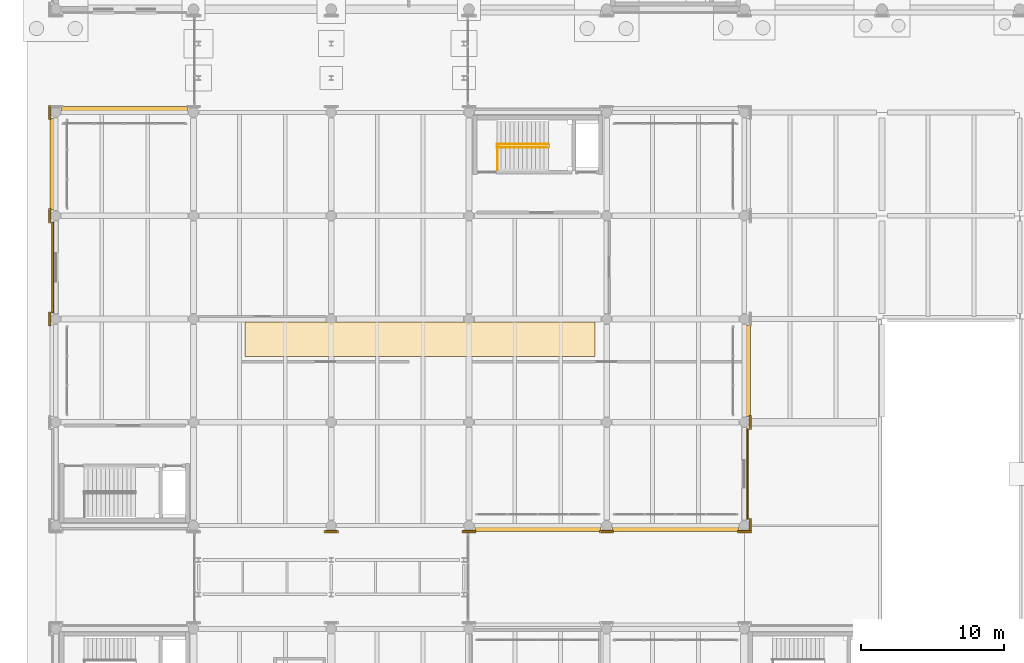
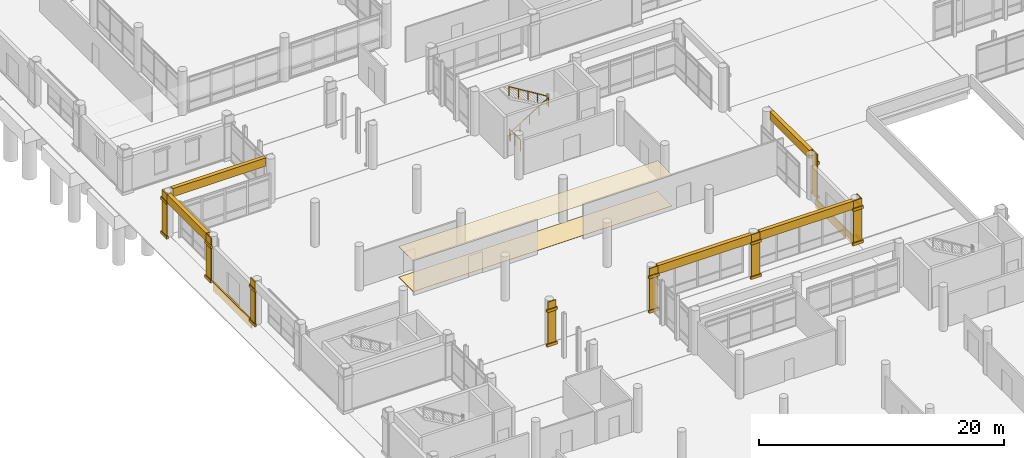
# One storey, part 174 of 196: 36 coverings, 3 railings.
"""IFC4 building model written with IfcOpenShell, lengths in metres."""

from ifc_helpers import new_model, si_unit, direction, frame, origin, origin_2d, place, context, subcontext, project, spatial, polyline, rectangle, circle, outline, extrude, material, layer, layer_set, type_object, element, save


model = new_model("IFC4")

# Units and contexts
model_context = context("Model", 3, precision=1e-05, world=origin(), true_north=direction((0.0, 1.0)))
body_context = subcontext(model_context, "Body", "Model", "MODEL_VIEW")
ifc_project = project(units=[si_unit("LENGTHUNIT", "METRE"), si_unit("AREAUNIT", "SQUARE_METRE"), si_unit("VOLUMEUNIT", "CUBIC_METRE"), si_unit("PLANEANGLEUNIT", "RADIAN"), si_unit("MASSUNIT", "GRAM", prefix="KILO")], contexts=[model_context])

# Site, building, storey
site_placement = place(None, origin())
site = spatial("IfcSite", under=ifc_project, at=site_placement, CompositionType="ELEMENT")
building_placement = place(site_placement, origin())
building = spatial("IfcBuilding", under=site, at=building_placement, Name="Asteropetra Specialist Clinic", CompositionType="ELEMENT")
storey_placement = place(building_placement, origin())
storey = spatial("IfcBuildingStorey", under=building, at=storey_placement, Name="L00", CompositionType="ELEMENT", Elevation=0.0)

# Coverings
ifc_material_1 = material(Name="Hygienic acoustic ceiling tile")
ifc_layer_1 = layer(ifc_material_1, 0.02490234375)
ifc_layer_set_1 = layer_set([ifc_layer_1], Name="Hygienic acoustic ceiling tile")
covering_type_1 = type_object("IfcCoveringType", Name="CLG-ACOUSTIC", PredefinedType="CEILING", material=ifc_layer_set_1)
covering_1_placement = place(storey_placement, frame((0.0, 0.0, 3.050048828125)))
element("IfcCovering", 1, at=covering_1_placement, inside=storey, type_object=covering_type_1, Name="Acoustic Ceiling CLG-L00-V5", PredefinedType="CEILING", context=body_context, shape_type="SweptSolid", body=[
    extrude(outline(polyline([(13.199951171875, 45.39990234375), (37.60009765625, 45.39990234375), (37.60009765625, 47.800048828125), (13.199951171875, 47.800048828125), (13.199951171875, 45.39990234375)])), origin(), (0.0, 0.0, 1.0), 0.02490234375),
])
ifc_material_2 = material(Name="Pentelic marble ashlar", Category="masonry")
ifc_layer_2 = layer(ifc_material_2, 0.159912109375)
ifc_layer_set_2 = layer_set([ifc_layer_2], Name="Pentelic marble ashlar")
covering_type_2 = type_object("IfcCoveringType", Name="CRN-ENTAB-600", PredefinedType="MOLDING", material=ifc_layer_set_2)
for number, where, z_axis, x_axis, name in (
    (2, (4.800048828125, 62.639892578125, 3.58984375), (0.0, 0.0, 1.0), (1.0, 0.0, 0.0), "Stoa Classical Entablature SE-0027"),
    (3, (33.60009765625, 33.360107421875, 3.58984375), (0.0, 0.0, 1.0), (1.0, 0.0, 0.0), "Stoa Classical Entablature SE-0028"),
    (4, (43.199951171875, 33.360107421875, 3.58984375), (0.0, 0.0, 1.0), (1.0, 0.0, 0.0), "Stoa Classical Entablature SE-0029"),
):
    element("IfcCovering", number, at=place(storey_placement, frame(where, z_axis=z_axis, x_axis=x_axis)), inside=storey, type_object=covering_type_2, Name=name, PredefinedType="MOLDING", context=body_context, shape_type="SweptSolid", body=[
        extrude(rectangle(XDim=8.780029296875, YDim=0.360107421875, at=origin_2d()), origin(), (0.0, 0.0, 1.0), 0.820068359375),
    ])
for number, where, z_axis, x_axis, name in (
    (5, (48.239990234375, 44.39990234375, 3.58984375), (0.0, 0.0, 1.0), (1.0, 0.0, 0.0), "Stoa Classical Entablature SE-0032"),
    (6, (-0.239990234375, 58.800048828125, 3.58984375), (0.0, 0.0, 1.0), (1.0, 0.0, 0.0), "Stoa Classical Entablature SE-0033"),
):
    element("IfcCovering", number, at=place(storey_placement, frame(where, z_axis=z_axis, x_axis=x_axis)), inside=storey, type_object=covering_type_2, Name=name, PredefinedType="MOLDING", context=body_context, shape_type="SweptSolid", body=[
        extrude(rectangle(XDim=0.360107421875, YDim=6.3798828125, at=origin_2d()), origin(), (0.0, 0.0, 1.0), 0.820068359375),
    ])
covering_2_placement = place(storey_placement, frame((-0.382080078125, 48.0, 0.02001953125), z_axis=(0.0, 0.0, 1.0), x_axis=(1.0, 0.0, 0.0)))
element("IfcCovering", 7, at=covering_2_placement, inside=storey, type_object=covering_type_2, Name="Neoclassical Pilaster Facing CM-0754", PredefinedType="MOLDING", context=body_context, shape_type="SweptSolid", body=[
    extrude(rectangle(XDim=0.080078125, YDim=0.780029296875, at=origin_2d()), origin(), (0.0, 0.0, 1.0), 4.3798828125),
])
for number, where, z_axis, x_axis, name in (
    (8, (-0.422119140625, 48.0, 0.009765625), (0.0, 0.0, 1.0), (1.0, 0.0, 0.0), "Doric Base CC-0755"),
    (9, (-0.422119140625, 48.0, 3.43017578125), (0.0, 0.0, 1.0), (1.0, 0.0, 0.0), "Doric Capital CC-0756"),
):
    element("IfcCovering", number, at=place(storey_placement, frame(where, z_axis=z_axis, x_axis=x_axis)), inside=storey, type_object=covering_type_2, Name=name, PredefinedType="MOLDING", context=body_context, shape_type="SweptSolid", body=[
        extrude(rectangle(XDim=0.159912109375, YDim=0.97998046875, at=origin_2d()), origin(), (0.0, 0.0, 1.0), 0.260009765625),
    ])
covering_3_placement = place(storey_placement, frame((-0.382080078125, 55.199951171875, 0.02001953125), z_axis=(0.0, 0.0, 1.0), x_axis=(1.0, 0.0, 0.0)))
element("IfcCovering", 10, at=covering_3_placement, inside=storey, type_object=covering_type_2, Name="Neoclassical Pilaster Facing CM-0757", PredefinedType="MOLDING", context=body_context, shape_type="SweptSolid", body=[
    extrude(rectangle(XDim=0.080078125, YDim=0.780029296875, at=origin_2d()), origin(), (0.0, 0.0, 1.0), 4.3798828125),
])
for number, where, z_axis, x_axis, name in (
    (11, (-0.422119140625, 55.199951171875, 0.009765625), (0.0, 0.0, 1.0), (1.0, 0.0, 0.0), "Doric Base CC-0758"),
    (12, (-0.422119140625, 55.199951171875, 3.43017578125), (0.0, 0.0, 1.0), (1.0, 0.0, 0.0), "Doric Capital CC-0759"),
):
    element("IfcCovering", number, at=place(storey_placement, frame(where, z_axis=z_axis, x_axis=x_axis)), inside=storey, type_object=covering_type_2, Name=name, PredefinedType="MOLDING", context=body_context, shape_type="SweptSolid", body=[
        extrude(rectangle(XDim=0.159912109375, YDim=0.97998046875, at=origin_2d()), origin(), (0.0, 0.0, 1.0), 0.260009765625),
    ])
covering_4_placement = place(storey_placement, frame((-0.382080078125, 62.39990234375, 0.02001953125), z_axis=(0.0, 0.0, 1.0), x_axis=(1.0, 0.0, 0.0)))
element("IfcCovering", 13, at=covering_4_placement, inside=storey, type_object=covering_type_2, Name="Neoclassical Pilaster Facing CM-0763", PredefinedType="MOLDING", context=body_context, shape_type="SweptSolid", body=[
    extrude(rectangle(XDim=0.080078125, YDim=0.780029296875, at=origin_2d()), origin(), (0.0, 0.0, 1.0), 4.3798828125),
])
for number, where, z_axis, x_axis, name in (
    (14, (-0.422119140625, 62.39990234375, 0.009765625), (0.0, 0.0, 1.0), (1.0, 0.0, 0.0), "Doric Base CC-0764"),
    (15, (-0.422119140625, 62.39990234375, 3.43017578125), (0.0, 0.0, 1.0), (1.0, 0.0, 0.0), "Doric Capital CC-0765"),
):
    element("IfcCovering", number, at=place(storey_placement, frame(where, z_axis=z_axis, x_axis=x_axis)), inside=storey, type_object=covering_type_2, Name=name, PredefinedType="MOLDING", context=body_context, shape_type="SweptSolid", body=[
        extrude(rectangle(XDim=0.159912109375, YDim=0.97998046875, at=origin_2d()), origin(), (0.0, 0.0, 1.0), 0.260009765625),
    ])
covering_5_placement = place(storey_placement, frame((19.199951171875, 33.218017578125, 0.02001953125), z_axis=(0.0, 0.0, 1.0), x_axis=(1.0, 0.0, 0.0)))
element("IfcCovering", 16, at=covering_5_placement, inside=storey, type_object=covering_type_2, Name="Neoclassical Pilaster Facing CM-0772", PredefinedType="MOLDING", context=body_context, shape_type="SweptSolid", body=[
    extrude(rectangle(XDim=0.780029296875, YDim=0.080078125, at=origin_2d()), origin(), (0.0, 0.0, 1.0), 4.3798828125),
])
for number, where, z_axis, x_axis, name in (
    (17, (19.199951171875, 33.177978515625, 0.009765625), (0.0, 0.0, 1.0), (1.0, 0.0, 0.0), "Doric Base CC-0773"),
    (18, (19.199951171875, 33.177978515625, 3.43017578125), (0.0, 0.0, 1.0), (1.0, 0.0, 0.0), "Doric Capital CC-0774"),
):
    element("IfcCovering", number, at=place(storey_placement, frame(where, z_axis=z_axis, x_axis=x_axis)), inside=storey, type_object=covering_type_2, Name=name, PredefinedType="MOLDING", context=body_context, shape_type="SweptSolid", body=[
        extrude(rectangle(XDim=0.97998046875, YDim=0.159912109375, at=origin_2d()), origin(), (0.0, 0.0, 1.0), 0.260009765625),
    ])
covering_6_placement = place(storey_placement, frame((28.800048828125, 33.218017578125, 0.02001953125), z_axis=(0.0, 0.0, 1.0), x_axis=(1.0, 0.0, 0.0)))
element("IfcCovering", 19, at=covering_6_placement, inside=storey, type_object=covering_type_2, Name="Neoclassical Pilaster Facing CM-0778", PredefinedType="MOLDING", context=body_context, shape_type="SweptSolid", body=[
    extrude(rectangle(XDim=0.780029296875, YDim=0.080078125, at=origin_2d()), origin(), (0.0, 0.0, 1.0), 4.3798828125),
])
for number, where, z_axis, x_axis, name in (
    (20, (28.800048828125, 33.177978515625, 0.009765625), (0.0, 0.0, 1.0), (1.0, 0.0, 0.0), "Doric Base CC-0779"),
    (21, (28.800048828125, 33.177978515625, 3.43017578125), (0.0, 0.0, 1.0), (1.0, 0.0, 0.0), "Doric Capital CC-0780"),
):
    element("IfcCovering", number, at=place(storey_placement, frame(where, z_axis=z_axis, x_axis=x_axis)), inside=storey, type_object=covering_type_2, Name=name, PredefinedType="MOLDING", context=body_context, shape_type="SweptSolid", body=[
        extrude(rectangle(XDim=0.97998046875, YDim=0.159912109375, at=origin_2d()), origin(), (0.0, 0.0, 1.0), 0.260009765625),
    ])
covering_7_placement = place(storey_placement, frame((38.39990234375, 33.218017578125, 0.02001953125), z_axis=(0.0, 0.0, 1.0), x_axis=(1.0, 0.0, 0.0)))
element("IfcCovering", 22, at=covering_7_placement, inside=storey, type_object=covering_type_2, Name="Neoclassical Pilaster Facing CM-0784", PredefinedType="MOLDING", context=body_context, shape_type="SweptSolid", body=[
    extrude(rectangle(XDim=0.780029296875, YDim=0.080078125, at=origin_2d()), origin(), (0.0, 0.0, 1.0), 4.3798828125),
])
for number, where, z_axis, x_axis, name in (
    (23, (38.39990234375, 33.177978515625, 0.009765625), (0.0, 0.0, 1.0), (1.0, 0.0, 0.0), "Doric Base CC-0785"),
    (24, (38.39990234375, 33.177978515625, 3.43017578125), (0.0, 0.0, 1.0), (1.0, 0.0, 0.0), "Doric Capital CC-0786"),
):
    element("IfcCovering", number, at=place(storey_placement, frame(where, z_axis=z_axis, x_axis=x_axis)), inside=storey, type_object=covering_type_2, Name=name, PredefinedType="MOLDING", context=body_context, shape_type="SweptSolid", body=[
        extrude(rectangle(XDim=0.97998046875, YDim=0.159912109375, at=origin_2d()), origin(), (0.0, 0.0, 1.0), 0.260009765625),
    ])
covering_8_placement = place(storey_placement, frame((48.0, 33.218017578125, 0.02001953125), z_axis=(0.0, 0.0, 1.0), x_axis=(1.0, 0.0, 0.0)))
element("IfcCovering", 25, at=covering_8_placement, inside=storey, type_object=covering_type_2, Name="Neoclassical Pilaster Facing CM-0790", PredefinedType="MOLDING", context=body_context, shape_type="SweptSolid", body=[
    extrude(rectangle(XDim=0.780029296875, YDim=0.080078125, at=origin_2d()), origin(), (0.0, 0.0, 1.0), 4.3798828125),
])
for number, where, z_axis, x_axis, name in (
    (26, (48.0, 33.177978515625, 0.009765625), (0.0, 0.0, 1.0), (1.0, 0.0, 0.0), "Doric Base CC-0791"),
    (27, (48.0, 33.177978515625, 3.43017578125), (0.0, 0.0, 1.0), (1.0, 0.0, 0.0), "Doric Capital CC-0792"),
):
    element("IfcCovering", number, at=place(storey_placement, frame(where, z_axis=z_axis, x_axis=x_axis)), inside=storey, type_object=covering_type_2, Name=name, PredefinedType="MOLDING", context=body_context, shape_type="SweptSolid", body=[
        extrude(rectangle(XDim=0.97998046875, YDim=0.159912109375, at=origin_2d()), origin(), (0.0, 0.0, 1.0), 0.260009765625),
    ])
covering_9_placement = place(storey_placement, frame((48.382080078125, 33.60009765625, 0.02001953125), z_axis=(0.0, 0.0, 1.0), x_axis=(1.0, 0.0, 0.0)))
element("IfcCovering", 28, at=covering_9_placement, inside=storey, type_object=covering_type_2, Name="Neoclassical Pilaster Facing CM-0793", PredefinedType="MOLDING", context=body_context, shape_type="SweptSolid", body=[
    extrude(rectangle(XDim=0.080078125, YDim=0.780029296875, at=origin_2d()), origin(), (0.0, 0.0, 1.0), 4.3798828125),
])
for number, where, z_axis, x_axis, name in (
    (29, (48.422119140625, 33.60009765625, 0.009765625), (0.0, 0.0, 1.0), (1.0, 0.0, 0.0), "Doric Base CC-0794"),
    (30, (48.422119140625, 33.60009765625, 3.43017578125), (0.0, 0.0, 1.0), (1.0, 0.0, 0.0), "Doric Capital CC-0795"),
):
    element("IfcCovering", number, at=place(storey_placement, frame(where, z_axis=z_axis, x_axis=x_axis)), inside=storey, type_object=covering_type_2, Name=name, PredefinedType="MOLDING", context=body_context, shape_type="SweptSolid", body=[
        extrude(rectangle(XDim=0.159912109375, YDim=0.97998046875, at=origin_2d()), origin(), (0.0, 0.0, 1.0), 0.260009765625),
    ])
covering_10_placement = place(storey_placement, frame((48.382080078125, 40.800048828125, 0.02001953125), z_axis=(0.0, 0.0, 1.0), x_axis=(1.0, 0.0, 0.0)))
element("IfcCovering", 31, at=covering_10_placement, inside=storey, type_object=covering_type_2, Name="Neoclassical Pilaster Facing CM-0796", PredefinedType="MOLDING", context=body_context, shape_type="SweptSolid", body=[
    extrude(rectangle(XDim=0.080078125, YDim=0.780029296875, at=origin_2d()), origin(), (0.0, 0.0, 1.0), 4.3798828125),
])
for number, where, z_axis, x_axis, name in (
    (32, (48.422119140625, 40.800048828125, 0.009765625), (0.0, 0.0, 1.0), (1.0, 0.0, 0.0), "Doric Base CC-0797"),
    (33, (48.422119140625, 40.800048828125, 3.43017578125), (0.0, 0.0, 1.0), (1.0, 0.0, 0.0), "Doric Capital CC-0798"),
):
    element("IfcCovering", number, at=place(storey_placement, frame(where, z_axis=z_axis, x_axis=x_axis)), inside=storey, type_object=covering_type_2, Name=name, PredefinedType="MOLDING", context=body_context, shape_type="SweptSolid", body=[
        extrude(rectangle(XDim=0.159912109375, YDim=0.97998046875, at=origin_2d()), origin(), (0.0, 0.0, 1.0), 0.260009765625),
    ])
for number, where, z_axis, x_axis, name in (
    (34, (48.219970703125, 37.199951171875, -0.800048828125), (0.0, 0.0, 1.0), (1.0, 0.0, 0.0), "Chevron Spandrel Band CV-1844"),
    (35, (-0.219970703125, 51.60009765625, -0.800048828125), (0.0, 0.0, 1.0), (1.0, 0.0, 0.0), "Chevron Spandrel Band CV-1845"),
):
    element("IfcCovering", number, at=place(storey_placement, frame(where, z_axis=z_axis, x_axis=x_axis)), inside=storey, type_object=covering_type_2, Name=name, PredefinedType="MOLDING", context=body_context, shape_type="SweptSolid", body=[
        extrude(rectangle(XDim=0.1201171875, YDim=6.300048828125, at=origin_2d()), origin(), (0.0, 0.0, 1.0), 0.8798828125),
    ])
ifc_material_3 = material(Name="Attic marble terrazzo flooring", Category="masonry")
ifc_layer_3 = layer(ifc_material_3, 0.02001953125)
ifc_layer_set_3 = layer_set([ifc_layer_3], Name="Attic marble terrazzo flooring")
covering_type_3 = type_object("IfcCoveringType", Name="FLR-TERRAZZO", PredefinedType="FLOORING", material=ifc_layer_set_3)
covering_11_placement = place(storey_placement, origin())
element("IfcCovering", 36, at=covering_11_placement, inside=storey, type_object=covering_type_3, Name="Terrazzo Flooring CLG-L00-V5", PredefinedType="FLOORING", context=body_context, shape_type="SweptSolid", body=[
    extrude(outline(polyline([(13.199951171875, 45.39990234375), (37.60009765625, 45.39990234375), (37.60009765625, 47.800048828125), (13.199951171875, 47.800048828125), (13.199951171875, 45.39990234375)])), origin(), (0.0, 0.0, 1.0), 0.02001953125),
])

# Railings
ifc_material_4 = material(Name="Steel S355 and laminated glass guard", Category="steel")
railing_type_1 = type_object("IfcRailingType", Name="GRD-INT-1120", PredefinedType="GUARDRAIL", material=ifc_material_4)
railing_1_placement = place(storey_placement, frame((30.800048828125, 58.3798828125, 0.0)))
element("IfcRailing", 37, at=railing_1_placement, inside=storey, type_object=railing_type_1, Name="Stair Well Guard ST05-B1", PredefinedType="GUARDRAIL", context=body_context, shape_type="SweptSolid", body=[
    extrude(circle(Radius=0.02392578125, at=origin_2d()), frame((0.0, 0.0, 1.09619140625), z_axis=(0.0, 1.0, 0.0), x_axis=(-1.0, 0.0, 0.0)), (0.0, 0.0, 1.0), 1.780029296875),
    extrude(circle(Radius=0.02099609375, at=origin_2d()), origin(), (0.0, 0.0, 1.0), 1.072021484375),
    extrude(circle(Radius=0.02099609375, at=origin_2d()), frame((0.0, 0.89013671875, 0.0)), (0.0, 0.0, 1.0), 1.072021484375),
    extrude(circle(Radius=0.02099609375, at=origin_2d()), frame((0.0, 1.780029296875, 0.0)), (0.0, 0.0, 1.0), 1.072021484375),
])
ifc_material_5 = material(Name="Brushed stainless steel handrail", Category="steel")
railing_type_2 = type_object("IfcRailingType", Name="HRL-STAIR-920", PredefinedType="HANDRAIL", material=ifc_material_5)
railing_2_placement = place(storey_placement, frame((30.75, 59.969970703125, 0.0)))
element("IfcRailing", 38, at=railing_2_placement, inside=storey, type_object=railing_type_2, Name="Stair Handrail ST05-L00 F1", PredefinedType="HANDRAIL", context=body_context, shape_type="SweptSolid", body=[
    extrude(circle(Radius=0.02392578125, at=origin_2d()), frame((0.0, 0.0, 0.89599609375), z_axis=(0.85223722916, 0.0, 0.523155526811), x_axis=(0.0, 1.0, 0.0)), (0.0, 0.0, 1.0), 4.224365234375),
    extrude(circle(Radius=0.02099609375, at=origin_2d()), origin(), (0.0, 0.0, 1.0), 0.871826171875),
    extrude(circle(Radius=0.02099609375, at=origin_2d()), frame((0.89990234375, 0.0, 0.552490234375)), (0.0, 0.0, 1.0), 0.871826171875),
    extrude(circle(Radius=0.02099609375, at=origin_2d()), frame((1.800048828125, 0.0, 1.10498046875)), (0.0, 0.0, 1.0), 0.871826171875),
    extrude(circle(Radius=0.02099609375, at=origin_2d()), frame((2.7001953125, 0.0, 1.657470703125)), (0.0, 0.0, 1.0), 0.871826171875),
    extrude(circle(Radius=0.02099609375, at=origin_2d()), frame((3.60009765625, 0.0, 2.2099609375)), (0.0, 0.0, 1.0), 0.871826171875),
])
railing_3_placement = place(storey_placement, frame((34.35009765625, 60.2099609375, 2.2099609375)))
element("IfcRailing", 39, at=railing_3_placement, inside=storey, type_object=railing_type_2, Name="Stair Handrail ST05-L00 F2", PredefinedType="HANDRAIL", context=body_context, shape_type="SweptSolid", body=[
    extrude(circle(Radius=0.02392578125, at=origin_2d()), frame((0.0, 0.0, 0.89599609375), z_axis=(-0.85223722916, 0.0, 0.523155526811), x_axis=(0.0, -1.0, 0.0)), (0.0, 0.0, 1.0), 4.224365234375),
    extrude(circle(Radius=0.02099609375, at=origin_2d()), origin(), (0.0, 0.0, 1.0), 0.871826171875),
    extrude(circle(Radius=0.02099609375, at=origin_2d()), frame((-0.89990234375, 0.0, 0.552490234375)), (0.0, 0.0, 1.0), 0.871826171875),
    extrude(circle(Radius=0.02099609375, at=origin_2d()), frame((-1.800048828125, 0.0, 1.10498046875)), (0.0, 0.0, 1.0), 0.871826171875),
    extrude(circle(Radius=0.02099609375, at=origin_2d()), frame((-2.7001953125, 0.0, 1.657470703125)), (0.0, 0.0, 1.0), 0.871826171875),
    extrude(circle(Radius=0.02099609375, at=origin_2d()), frame((-3.60009765625, 0.0, 2.2099609375)), (0.0, 0.0, 1.0), 0.871826171875),
])

save(model, "model.ifc")
